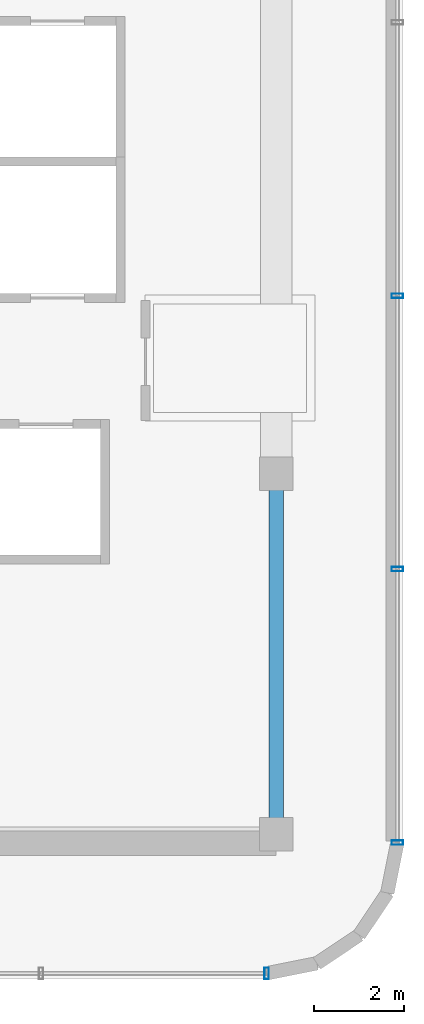
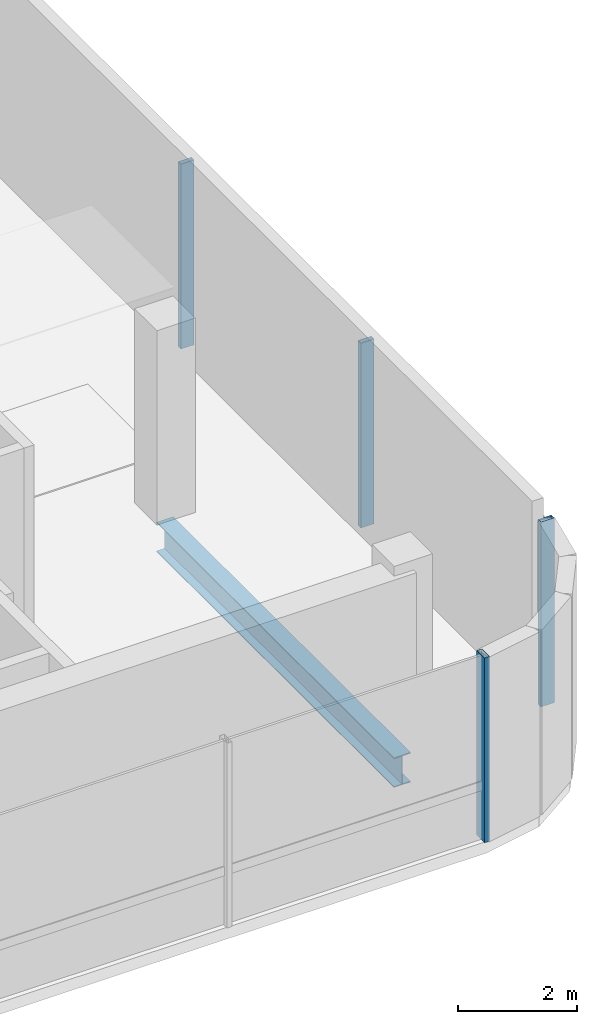
# One storey, part 5 of 11: 4 members, 1 beam, 2 elements without a shape of their own.
"""IFC4 building model written with IfcOpenShell, lengths in metres."""

from ifc_helpers import new_model, si_unit, direction, frame, origin, origin_2d, place, context, subcontext, project, spatial, hollow_rectangle, i_section, extrude, source, transform, mapped, material, material_profile, profile_set, type_object, element, aggregate, save


model = new_model("IFC4")

# Units and contexts
model_context = context("Model", 3, precision=1e-05, world=origin(), true_north=direction((0.0, 1.0)))
body_context = subcontext(model_context, "Body", "Model", "MODEL_VIEW")
ifc_project = project(units=[si_unit("LENGTHUNIT", "METRE"), si_unit("AREAUNIT", "SQUARE_METRE"), si_unit("VOLUMEUNIT", "CUBIC_METRE"), si_unit("PLANEANGLEUNIT", "RADIAN"), si_unit("MASSUNIT", "GRAM", prefix="KILO")], contexts=[model_context])

# Site, building, storey
site_placement = place(None, origin())
site = spatial("IfcSite", under=ifc_project, at=site_placement, CompositionType="ELEMENT")
building_placement = place(site_placement, origin())
building = spatial("IfcBuilding", under=site, at=building_placement, Name="Valdorenza Pilgrim Sanctuary Tower", CompositionType="ELEMENT")
storey_placement = place(building_placement, frame((0.0, 0.0, 303.60009765625)))
storey = spatial("IfcBuildingStorey", under=building, at=storey_placement, Name="L79", CompositionType="ELEMENT", Elevation=303.60009765625)

# Beam
ifc_material_1 = material(Name="Steel ASTM A992 Grade 50", Category="steel")
ifc_material_profile_1 = material_profile(ifc_material_1, i_section(OverallWidth=0.323974609375, OverallDepth=0.611083984375, WebThickness=0.0126953125, FlangeThickness=0.01904296875, at=origin_2d()), Name="W24X104")
ifc_profile_set_1 = profile_set([ifc_material_profile_1], Name="Steel ASTM A992 Grade 50")
beam_type = type_object("IfcBeamType", Name="STR-BM-GRD-W24B", PredefinedType="BEAM", material=ifc_profile_set_1)
shared_shape_1 = source(origin(), body_context, "Body", "SweptSolid", [
    extrude(i_section(OverallWidth=0.323974609375, OverallDepth=0.611083984375, WebThickness=0.0126953125, FlangeThickness=0.01904296875, at=origin_2d()), origin(), (0.0, 0.0, 1.0), 8.0),
])
beam_placement = place(storey_placement, frame((-12.39990234375, -10.60009765625, -0.545654296875), z_axis=(0.0, 1.0, 0.0), x_axis=(-1.0, 0.0, 0.0)))
element("IfcBeam", 1, at=beam_placement, inside=storey, type_object=beam_type, Name="L79 Core Tie Girder CA-E-S1M0", PredefinedType="BEAM", context=body_context, shape_type="MappedRepresentation", body=[
    mapped(shared_shape_1, transform((0.0, 0.0, 0.0), x_axis=(1.0, 0.0, 0.0), y_axis=(0.0, 1.0, 0.0), z_axis=(0.0, 0.0, 1.0), scale=1.0)),
])

# Curtain wall, members
ifc_material_2 = material(Name="Curtain-wall IGU glazing", Category="glass")
curtain_wall_type = type_object("IfcCurtainWallType", Name="CW-SYS-06", PredefinedType="NOTDEFINED", material=ifc_material_2)
curtain_wall_1_placement = place(storey_placement, origin())
curtain_wall_1 = element("IfcCurtainWall", 2, at=curtain_wall_1_placement, inside=storey, type_object=curtain_wall_type, Name="L79 Curtain Wall CW-L79-1-11", PredefinedType="NOTDEFINED")
ifc_material_3 = material(Name="Anodised aluminium AW-6060", Category="aluminium")
ifc_material_profile_2 = material_profile(ifc_material_3, hollow_rectangle(XDim=0.10009765625, YDim=0.260009765625, WallThickness=0.006103515625, at=origin_2d()), Name="ALU-M 260x100x6")
ifc_profile_set_2 = profile_set([ifc_material_profile_2], Name="Anodised aluminium AW-6060")
member_type = type_object("IfcMemberType", Name="CW-MUL-06", PredefinedType="MULLION", material=ifc_profile_set_2)
shared_shape_2 = source(origin(), body_context, "Body", "SweptSolid", [
    extrude(hollow_rectangle(XDim=0.10009765625, YDim=0.260009765625, WallThickness=0.006103515625, at=origin_2d()), origin(), (0.0, 0.0, 1.0), 3.7998046875),
])
member_1_placement = place(storey_placement, frame((-9.7099609375, 1.35009765625, 0.0), z_axis=(0.0, 0.0, 1.0), x_axis=(0.0, -1.0, 0.0)))
member_1 = element("IfcMember", 3, at=member_1_placement, type_object=member_type, Name="CW-L79-1-11 Mullion 3", PredefinedType="MULLION", context=body_context, shape_type="MappedRepresentation", body=[
    mapped(shared_shape_2, transform((0.0, 0.0, 0.0), x_axis=(1.0, 0.0, 0.0), y_axis=(0.0, 1.0, 0.0), z_axis=(0.0, 0.0, 1.0), scale=1.0)),
])
member_2_placement = place(storey_placement, frame((-9.7099609375, -4.719482421875, 0.0), z_axis=(0.0, 0.0, 1.0), x_axis=(0.0, -1.0, 0.0)))
member_2 = element("IfcMember", 4, at=member_2_placement, type_object=member_type, Name="CW-L79-1-11 Mullion 4", PredefinedType="MULLION", context=body_context, shape_type="MappedRepresentation", body=[
    mapped(shared_shape_2, transform((0.0, 0.0, 0.0), x_axis=(1.0, 0.0, 0.0), y_axis=(0.0, 1.0, 0.0), z_axis=(0.0, 0.0, 1.0), scale=1.0)),
])
member_3_placement = place(storey_placement, frame((-9.7099609375, -10.789306640625, 0.0), z_axis=(0.0, 0.0, 1.0), x_axis=(0.0, -1.0, 0.0)))
member_3 = element("IfcMember", 5, at=member_3_placement, type_object=member_type, Name="CW-L79-1-11 Mullion 5", PredefinedType="MULLION", context=body_context, shape_type="MappedRepresentation", body=[
    mapped(shared_shape_2, transform((0.0, 0.0, 0.0), x_axis=(1.0, 0.0, 0.0), y_axis=(0.0, 1.0, 0.0), z_axis=(0.0, 0.0, 1.0), scale=1.0)),
])
aggregate(curtain_wall_1, [member_1, member_2, member_3])

# Curtain wall, member
curtain_wall_2_placement = place(storey_placement, origin())
curtain_wall_2 = element("IfcCurtainWall", 6, at=curtain_wall_2_placement, inside=storey, type_object=curtain_wall_type, Name="L79 Curtain Wall CW-L79-1-16", PredefinedType="NOTDEFINED")
member_4_placement = place(storey_placement, frame((-12.61083984375, -13.68994140625, 0.0), z_axis=(0.0, 0.0, 1.0), x_axis=(-1.0, 0.0, 0.0)))
member_4 = element("IfcMember", 7, at=member_4_placement, type_object=member_type, Name="CW-L79-1-16 Mullion 1", PredefinedType="MULLION", context=body_context, shape_type="MappedRepresentation", body=[
    mapped(shared_shape_2, transform((0.0, 0.0, 0.0), x_axis=(1.0, 0.0, 0.0), y_axis=(0.0, 1.0, 0.0), z_axis=(0.0, 0.0, 1.0), scale=1.0)),
])
aggregate(curtain_wall_2, [member_4])

save(model, "model.ifc")
